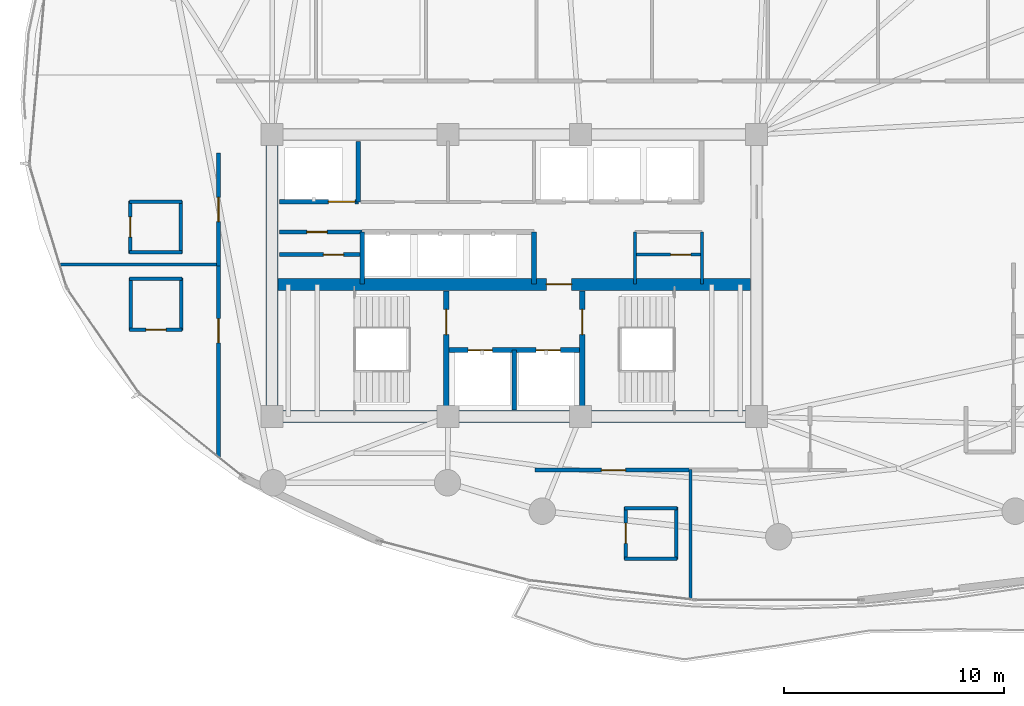
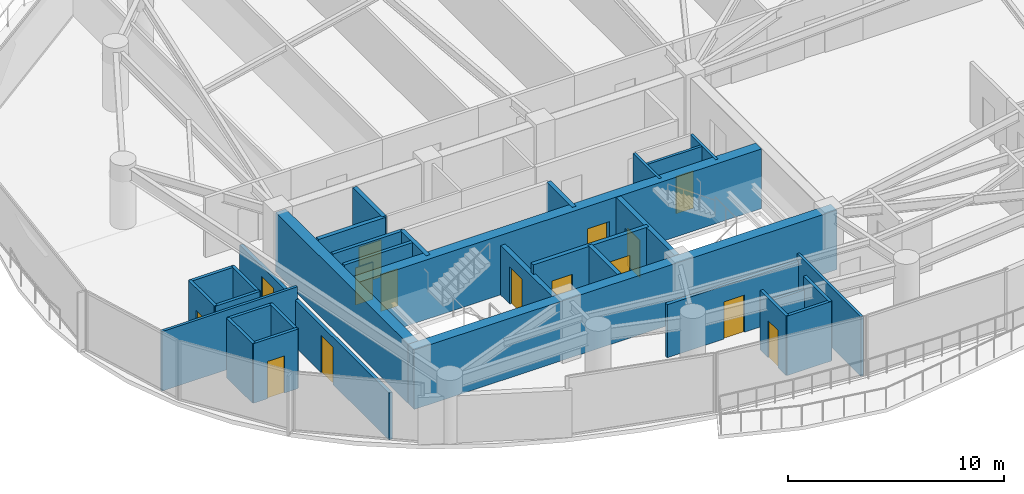
# One storey, part 26 of 33: 33 walls, 15 doors, 15 openings.
"""IFC4 building model written with IfcOpenShell, lengths in metres."""

import ifcopenshell
import ifcopenshell.guid

model = None  # the IFC model being written
_history = None  # IfcOwnerHistory: only IFC2X3 demands one
_inside = {}  # id of a spatial element -> (the spatial element, [elements in it])
_under = {}  # id of a project, library or spatial element -> (it, [spatial elements below it])
_declared = {}  # id of a project -> (the project, [libraries it declares])
_typed = {}  # id of a type object -> (the type object, [elements of that type])
_made_of = {}  # id of a material, layer set ... -> (it, [elements and type objects made of it])


def new_model(schema):
    """Start an empty IFC model of exactly this schema.

    Asked for "IFC4X3", IfcOpenShell would pick the latest addendum, in which some entities
    have other attributes; the version numbers below select the first issue.
    IFC2X3 requires an IfcOwnerHistory on every rooted entity: one is made here for all.
    """
    global model, _history
    if schema == "IFC4X3":
        model = ifcopenshell.file(schema_version=(4, 3, 0, 0))
    else:
        model = ifcopenshell.file(schema=schema)
    _inside.clear()
    _under.clear()
    _declared.clear()
    _typed.clear()
    _made_of.clear()
    _history = None
    if model.schema == "IFC2X3":
        org = make("IfcOrganization", Name="unknown")
        user = make(
            "IfcPersonAndOrganization",
            ThePerson=make("IfcPerson", FamilyName="unknown"),
            TheOrganization=org,
        )
        app = make(
            "IfcApplication",
            ApplicationDeveloper=org,
            Version="unknown",
            ApplicationFullName="unknown",
            ApplicationIdentifier="unknown",
        )
        _history = make(
            "IfcOwnerHistory",
            OwningUser=user,
            OwningApplication=app,
            ChangeAction="ADDED",
            CreationDate=0,
        )
    return model


def make(cls, **values):
    """One entity of the class cls with the attributes given. An attribute that is None is left unset."""
    return model.create_entity(
        cls, **{name: value for name, value in values.items() if value is not None}
    )


def rooted(cls, **values):
    """An entity with a GlobalId (a new one), such as an element, a storey or a relation."""
    return make(cls, GlobalId=ifcopenshell.guid.new(), OwnerHistory=_history, **values)


def si_unit(unit_type, name, prefix=None):
    """IfcSIUnit, for example si_unit("LENGTHUNIT", "METRE", prefix="MILLI")."""
    return make("IfcSIUnit", UnitType=unit_type, Prefix=prefix, Name=name)


def assignment(units):
    """IfcUnitAssignment: the units of a project."""
    return None if units is None else make("IfcUnitAssignment", Units=units)


def point(xyz):
    """IfcCartesianPoint."""
    return None if xyz is None else make("IfcCartesianPoint", Coordinates=xyz)


def direction(xyz):
    """IfcDirection."""
    return None if xyz is None else make("IfcDirection", DirectionRatios=xyz)


def frame(location, z_axis=None, x_axis=None):
    """IfcAxis2Placement3D, a coordinate frame: its origin and axes. An axis left out is left unset."""
    return make(
        "IfcAxis2Placement3D",
        Location=point(location),
        Axis=direction(z_axis),
        RefDirection=direction(x_axis),
    )


def frame_2d(location, x_axis=None):
    """IfcAxis2Placement2D, a coordinate frame in the plane: its origin and x axis."""
    return make(
        "IfcAxis2Placement2D", Location=point(location), RefDirection=direction(x_axis)
    )


def origin():
    """The frame at (0, 0, 0) with its axes left unset."""
    return frame((0.0, 0.0, 0.0))


def place(relative_to, where):
    """IfcLocalPlacement: puts the frame where relative to a parent placement (None: the world)."""
    return make(
        "IfcLocalPlacement", PlacementRelTo=relative_to, RelativePlacement=where
    )


def context(
    kind, dimensions, precision=None, world=None, true_north=None, identifier=None
):
    """IfcGeometricRepresentationContext, for example the 3D "Model" context."""
    return make(
        "IfcGeometricRepresentationContext",
        ContextIdentifier=identifier,
        ContextType=kind,
        CoordinateSpaceDimension=dimensions,
        Precision=precision,
        WorldCoordinateSystem=world,
        TrueNorth=true_north,
    )


def subcontext(parent, identifier, kind, view, scale=None):
    """IfcGeometricRepresentationSubContext, for example "Body" below "Model"."""
    return make(
        "IfcGeometricRepresentationSubContext",
        ContextIdentifier=identifier,
        ContextType=kind,
        ParentContext=parent,
        TargetScale=scale,
        TargetView=view,
    )


def project(units=None, contexts=None):
    """IfcProject with its units and contexts."""
    return rooted(
        "IfcProject",
        Name="project",
        RepresentationContexts=contexts,
        UnitsInContext=assignment(units),
    )


def spatial(cls, under=None, at=None, **own):
    """A site, building, storey or space (cls), placed at a placement, below another one or the project."""
    s = rooted(cls, ObjectPlacement=at, **own)
    if under is not None:
        _under.setdefault(under.id(), (under, []))[1].append(s)
    return s


def profile(cls, at=None, kind="AREA", **sizes):
    """A parametric profile (cls). Its sizes go by their IFC names, for example OverallWidth=200.0."""
    return make(cls, ProfileType=kind, Position=at, **sizes)


def rectangle(**sizes):
    """IfcRectangleProfileDef."""
    return profile("IfcRectangleProfileDef", **sizes)


def extrude(swept, where, along, depth):
    """IfcExtrudedAreaSolid: the profile swept, set in the frame where, extruded along a direction by depth."""
    return make(
        "IfcExtrudedAreaSolid",
        SweptArea=swept,
        Position=where,
        ExtrudedDirection=direction(along),
        Depth=depth,
    )


def shape(context_of_items, identifier, shape_type, items):
    """IfcShapeRepresentation: the items that make up one representation, for example the "Body"."""
    return make(
        "IfcShapeRepresentation",
        ContextOfItems=context_of_items,
        RepresentationIdentifier=identifier,
        RepresentationType=shape_type,
        Items=items,
    )


def material(Name=None, Category=None):
    """IfcMaterial."""
    return make("IfcMaterial", Name=Name, Category=Category)


def layer(
    of_material, thickness, ventilated=None, Name=None, Category=None, Priority=None
):
    """IfcMaterialLayer: one layer of a wall or slab, of a material (None: an air gap)."""
    return make(
        "IfcMaterialLayer",
        Material=of_material,
        LayerThickness=thickness,
        IsVentilated=ventilated,
        Name=Name,
        Category=Category,
        Priority=Priority,
    )


def layer_set(layers, Name=None):
    """IfcMaterialLayerSet."""
    return make("IfcMaterialLayerSet", MaterialLayers=layers, LayerSetName=Name)


def made_of(thing, what):
    """Note that an element or type object is made of a material, layer set ...; save() writes the relation."""
    if what is not None:
        _made_of.setdefault(what.id(), (what, []))[1].append(thing)
    return thing


def type_object(cls, material=None, **own):
    """A type object (cls), such as IfcWallType, which elements share."""
    return made_of(rooted(cls, **own), material)


def element(
    cls,
    number,
    at=None,
    inside=None,
    cuts=None,
    type_object=None,
    material=None,
    context=None,
    identifier="Body",
    shape_type=None,
    held_by="IfcProductDefinitionShape",
    body=None,
    shapes=None,
    **own,
):
    """One element of the class cls, such as IfcWall. Its Tag is "e" and its number.

    at: its placement. inside: the storey or other place that contains it. cuts: it is an
    opening in that element (IfcRelVoidsElement). A single representation is given by context,
    identifier, shape_type and body (its items); several are given by shapes. held_by: the class
    of the entity that holds the representations. save() writes the other relations.
    """
    e = rooted(cls, Tag="e%d" % number, ObjectPlacement=at, **own)
    if body is not None:
        shapes = [shape(context, identifier, shape_type, body)]
    if shapes is not None:
        e.Representation = make(held_by, Representations=shapes)
    if inside is not None:
        _inside.setdefault(inside.id(), (inside, []))[1].append(e)
    if cuts is not None:
        rooted(
            "IfcRelVoidsElement", RelatingBuildingElement=cuts, RelatedOpeningElement=e
        )
    if type_object is not None:
        _typed.setdefault(type_object.id(), (type_object, []))[1].append(e)
    return made_of(e, material)


def fill(opening, filler):
    """IfcRelFillsElement: the door or window that sits in an opening."""
    return rooted(
        "IfcRelFillsElement",
        RelatingOpeningElement=opening,
        RelatedBuildingElement=filler,
    )


def aggregate(whole, parts):
    """IfcRelAggregates: a whole, such as a stair, and the parts it consists of."""
    return rooted("IfcRelAggregates", RelatingObject=whole, RelatedObjects=parts)


def save(model, path):
    """Write the relations noted so far, then the file.

    IfcRelAggregates (storeys below a building ...), IfcRelContainedInSpatialStructure (elements
    in a storey), IfcRelDefinesByType, IfcRelAssociatesMaterial and IfcRelDeclares: one each for
    every whole, place, type object, material and project.
    """
    for whole, parts in _under.values():
        aggregate(whole, parts)
    for where, things in _inside.values():
        rooted(
            "IfcRelContainedInSpatialStructure",
            RelatedElements=things,
            RelatingStructure=where,
        )
    for kind, things in _typed.values():
        rooted("IfcRelDefinesByType", RelatedObjects=things, RelatingType=kind)
    for what, things in _made_of.values():
        rooted("IfcRelAssociatesMaterial", RelatedObjects=things, RelatingMaterial=what)
    for by, libraries in _declared.values():
        rooted("IfcRelDeclares", RelatingContext=by, RelatedDefinitions=libraries)
    model.write(path)


model = new_model("IFC4")

# Units and contexts
model_context = context("Model", 3, precision=1e-05, world=origin(), true_north=direction((0.0, 1.0)))
body_context = subcontext(model_context, "Body", "Model", "MODEL_VIEW")
ifc_project = project(units=[si_unit("LENGTHUNIT", "METRE"), si_unit("AREAUNIT", "SQUARE_METRE"), si_unit("VOLUMEUNIT", "CUBIC_METRE"), si_unit("PLANEANGLEUNIT", "RADIAN"), si_unit("MASSUNIT", "GRAM", prefix="KILO")], contexts=[model_context])

# Site, building, storey
site_placement = place(None, origin())
site = spatial("IfcSite", under=ifc_project, at=site_placement, CompositionType="ELEMENT")
building_placement = place(site_placement, origin())
building = spatial("IfcBuilding", under=site, at=building_placement, Name="Kazevale Care Tower and Concert Hall", CompositionType="ELEMENT")
storey_placement = place(building_placement, frame((0.0, 0.0, 153.0)))
storey = spatial("IfcBuildingStorey", under=building, at=storey_placement, Name="L40", CompositionType="ELEMENT", Elevation=153.0)

# Walls
ifc_material_1 = material(Name="Acoustic Gypsum on Steel Stud", Category="steel")
ifc_layer_1 = layer(ifc_material_1, 0.139892578125)
ifc_layer_set_1 = layer_set([ifc_layer_1], Name="Acoustic Gypsum on Steel Stud")
wall_type_1 = type_object("IfcWallType", Name="Acoustic Care & Suite Partition 140", PredefinedType="PARTITIONING", material=ifc_layer_set_1)
for number, where, z_axis, x_axis, name in (
    (1, (38.47998046875, 29.6201171875, 0.0), (0.0, 0.0, 1.0), (0.0, 1.0, 0.0), "wall:L40:kc_ew"),
    (2, (41.52001953125, 29.6201171875, 0.0), (0.0, 0.0, 1.0), (0.0, 1.0, 0.0), "wall:L40:kc_ee"),
):
    element("IfcWall", number, at=place(storey_placement, frame(where, z_axis=z_axis, x_axis=x_axis)), inside=storey, type_object=wall_type_1, Name=name, PredefinedType="PARTITIONING", context=body_context, shape_type="SweptSolid", body=[
        extrude(rectangle(XDim=2.35986328125, YDim=0.139892578125, at=frame_2d((1.179931640625, 0.0))), origin(), (0.0, 0.0, 1.0), 3.360107421875),
    ])

# Wall, opening, door
wall_1_placement = place(storey_placement, frame((38.47998046875, 30.949951171875, 0.0), z_axis=(0.0, 0.0, 1.0), x_axis=(1.0, 0.0, 0.0)))
wall_1 = element("IfcWall", 3, at=wall_1_placement, inside=storey, type_object=wall_type_1, Name="wall:L40:kc_em", PredefinedType="PARTITIONING", context=body_context, shape_type="SweptSolid", body=[
    extrude(rectangle(XDim=3.0400390625, YDim=0.139892578125, at=frame_2d((1.52001953125, 0.0))), origin(), (0.0, 0.0, 1.0), 3.360107421875),
])
opening_1_placement = place(wall_1_placement, frame((1.616943359375, 0.0, 0.0)))
opening_1 = element("IfcOpeningElement", 4, at=opening_1_placement, cuts=wall_1, Name="Opening ID-900", PredefinedType="OPENING", context=body_context, shape_type="SweptSolid", body=[
    extrude(rectangle(XDim=0.919921875, YDim=2.10009765625, at=frame_2d((0.4599609375, 1.050048828125))), frame((0.0, 0.079833984375, 0.0), z_axis=(0.0, -1.0, 0.0), x_axis=(1.0, 0.0, 0.0)), (0.0, 0.0, 1.0), 0.159912109375),
])
ifc_material_2 = material(Name="Oak Timber Fire Leaf", Category="wood")
door_type_1 = type_object("IfcDoorType", Name="Bathroom & Service Door 920x2100", OperationType="NOTDEFINED", PredefinedType="DOOR", material=ifc_material_2)
door_1_placement = place(opening_1_placement, origin())
door_1 = element("IfcDoor", 5, at=door_1_placement, inside=storey, type_object=door_type_1, Name="door:L40:d_kceb", OperationType="SINGLE_SWING_RIGHT", OverallHeight=2.10009765625, OverallWidth=0.919921875, PredefinedType="DOOR", context=body_context, shape_type="SweptSolid", body=[
    extrude(rectangle(XDim=0.919921875, YDim=2.10009765625, at=frame_2d((0.4599609375, 1.050048828125))), frame((0.0, 0.02490234375, 0.0), z_axis=(0.0, -1.0, 0.0), x_axis=(1.0, 0.0, 0.0)), (0.0, 0.0, 1.0), 0.050048828125),
])
fill(opening_1, door_1)

# Walls
wall_2_placement = place(storey_placement, frame((41.0, 21.205078125, 0.0), z_axis=(0.0, 0.0, 1.0), x_axis=(0.0, -1.0, 0.0)))
element("IfcWall", 6, at=wall_2_placement, inside=storey, type_object=wall_type_1, Name="wall:L40:auto_029", PredefinedType="PARTITIONING", context=body_context, shape_type="SweptSolid", body=[
    extrude(rectangle(XDim=5.88720703125, YDim=0.139892578125, at=frame_2d((2.943603515625, 0.0))), origin(), (0.0, 0.0, 1.0), 3.360107421875),
])
wall_3_placement = place(storey_placement, frame((12.380859375, 30.5, 0.0), z_axis=(0.0, 0.0, 1.0), x_axis=(1.0, 0.0, 0.0)))
element("IfcWall", 7, at=wall_3_placement, inside=storey, type_object=wall_type_1, Name="wall:L40:auto_030", PredefinedType="PARTITIONING", context=body_context, shape_type="SweptSolid", body=[
    extrude(rectangle(XDim=7.22412109375, YDim=0.139892578125, at=frame_2d((3.612060546875, 0.0))), origin(), (0.0, 0.0, 1.0), 3.360107421875),
])
ifc_material_3 = material(Name="Concrete C60", Category="concrete")
ifc_layer_2 = layer(ifc_material_3, 0.550048828125)
ifc_layer_set_2 = layer_set([ifc_layer_2], Name="Concrete C60")
wall_type_2 = type_object("IfcWallType", Name="Core Shear Wall 550 C60", PredefinedType="SHEAR", material=ifc_layer_set_2)
wall_4_placement = place(storey_placement, frame((21.72509765625, 23.60009765625, 0.0), z_axis=(0.0, 0.0, 1.0), x_axis=(1.0, 0.0, 0.0)))
element("IfcWall", 8, at=wall_4_placement, inside=storey, type_object=wall_type_2, Name="wall:L40:core:S", PredefinedType="SHEAR", context=body_context, shape_type="SweptSolid", body=[
    extrude(rectangle(XDim=22.5498046875, YDim=0.550048828125, at=frame_2d((11.27490234375, 0.0))), origin(), (0.0, 0.0, 1.0), 3.360107421875),
])
wall_5_placement = place(storey_placement, frame((22.0, 23.875, 0.0), z_axis=(0.0, 0.0, 1.0), x_axis=(0.0, 1.0, 0.0)))
element("IfcWall", 9, at=wall_5_placement, inside=storey, type_object=wall_type_2, Name="wall:L40:core:W", PredefinedType="SHEAR", context=body_context, shape_type="SweptSolid", body=[
    extrude(rectangle(XDim=12.25, YDim=0.550048828125, at=frame_2d((6.125, 0.0))), origin(), (0.0, 0.0, 1.0), 3.360107421875),
])

# Wall, opening, door
wall_6_placement = place(storey_placement, frame((22.27490234375, 29.60009765625, 0.0), z_axis=(0.0, 0.0, 1.0), x_axis=(1.0, 0.0, 0.0)))
wall_6 = element("IfcWall", 10, at=wall_6_placement, inside=storey, type_object=wall_type_2, Name="wall:L40:core:M", PredefinedType="SHEAR", context=body_context, shape_type="SweptSolid", body=[
    extrude(rectangle(XDim=21.4501953125, YDim=0.550048828125, at=frame_2d((10.72509765625, 0.0))), origin(), (0.0, 0.0, 1.0), 3.360107421875),
])
opening_2_placement = place(wall_6_placement, frame((12.175048828125, 0.0, 0.0)))
opening_2 = element("IfcOpeningElement", 11, at=opening_2_placement, cuts=wall_6, Name="Opening FD-90", PredefinedType="OPENING", context=body_context, shape_type="SweptSolid", body=[
    extrude(rectangle(XDim=1.14990234375, YDim=2.10009765625, at=frame_2d((0.574951171875, 1.050048828125))), frame((0.0, 0.284912109375, 0.0), z_axis=(0.0, -1.0, 0.0), x_axis=(1.0, 0.0, 0.0)), (0.0, 0.0, 1.0), 0.570068359375),
])
ifc_material_4 = material(Name="Steel ASTM A572 Gr 50", Category="steel")
door_type_2 = type_object("IfcDoorType", Name="Pressurized Stair & Lobby Fire Door 1150x2100", OperationType="NOTDEFINED", PredefinedType="DOOR", material=ifc_material_4)
door_2_placement = place(opening_2_placement, origin())
door_2 = element("IfcDoor", 12, at=door_2_placement, inside=storey, type_object=door_type_2, Name="door:L40:ff_to_pax", OperationType="SINGLE_SWING_LEFT", OverallHeight=2.10009765625, OverallWidth=1.14990234375, PredefinedType="DOOR", context=body_context, shape_type="SweptSolid", body=[
    extrude(rectangle(XDim=1.14990234375, YDim=2.10009765625, at=frame_2d((0.574951171875, 1.050048828125))), frame((0.0, 0.02490234375, 0.0), z_axis=(0.0, -1.0, 0.0), x_axis=(1.0, 0.0, 0.0)), (0.0, 0.0, 1.0), 0.050048828125),
])
fill(opening_2, door_2)

# Wall, openings, doors
ifc_material_5 = material(Name="Concrete C40", Category="concrete")
ifc_layer_3 = layer(ifc_material_5, 0.219970703125)
ifc_layer_set_3 = layer_set([ifc_layer_3], Name="Concrete C40")
wall_type_3 = type_object("IfcWallType", Name="Elevator Hoistway Shaft Wall 220", PredefinedType="SOLIDWALL", material=ifc_layer_set_3)
wall_7_placement = place(storey_placement, frame((29.919921875, 26.6201171875, 0.0), z_axis=(0.0, 0.0, 1.0), x_axis=(1.0, 0.0, 0.0)))
wall_7 = element("IfcWall", 13, at=wall_7_placement, inside=storey, type_object=wall_type_3, Name="wall:L40:c_ffl_n", PredefinedType="SOLIDWALL", context=body_context, shape_type="SweptSolid", body=[
    extrude(rectangle(XDim=6.16015625, YDim=0.219970703125, at=frame_2d((3.080078125, 0.0))), origin(), (0.0, 0.0, 1.0), 3.360107421875),
])
opening_3_placement = place(wall_7_placement, frame((0.989990234375, 0.0, 0.0)))
opening_3 = element("IfcOpeningElement", 14, at=opening_3_placement, cuts=wall_7, Name="Opening LD-FF", PredefinedType="OPENING", context=body_context, shape_type="SweptSolid", body=[
    extrude(rectangle(XDim=1.10009765625, YDim=2.10009765625, at=frame_2d((0.550048828125, 1.050048828125))), frame((0.0, 0.119873046875, 0.0), z_axis=(0.0, -1.0, 0.0), x_axis=(1.0, 0.0, 0.0)), (0.0, 0.0, 1.0), 0.239990234375),
])
opening_4_placement = place(wall_7_placement, frame((4.070068359375, 0.0, 0.0)))
opening_4 = element("IfcOpeningElement", 15, at=opening_4_placement, cuts=wall_7, Name="Opening LD-FF", PredefinedType="OPENING", context=body_context, shape_type="SweptSolid", body=[
    extrude(rectangle(XDim=1.10009765625, YDim=2.10009765625, at=frame_2d((0.550048828125, 1.050048828125))), frame((0.0, 0.119873046875, 0.0), z_axis=(0.0, -1.0, 0.0), x_axis=(1.0, 0.0, 0.0)), (0.0, 0.0, 1.0), 0.239990234375),
])
ifc_material_6 = material(Name="Stainless Steel 316", Category="steel")
door_type_3 = type_object("IfcDoorType", Name="Emergency Lift Sliding Landing Door 1100x2100", OperationType="NOTDEFINED", PredefinedType="DOOR", material=ifc_material_6)
door_3_placement = place(opening_3_placement, origin())
door_3 = element("IfcDoor", 16, at=door_3_placement, inside=storey, type_object=door_type_3, Name="door:L40:ld_ffl1", OperationType="SLIDING_TO_LEFT", OverallHeight=2.10009765625, OverallWidth=1.10009765625, PredefinedType="DOOR", context=body_context, shape_type="SweptSolid", body=[
    extrude(rectangle(XDim=1.10009765625, YDim=2.10009765625, at=frame_2d((0.550048828125, 1.050048828125))), frame((0.0, 0.02490234375, 0.0), z_axis=(0.0, -1.0, 0.0), x_axis=(1.0, 0.0, 0.0)), (0.0, 0.0, 1.0), 0.050048828125),
])
fill(opening_3, door_3)
door_4_placement = place(opening_4_placement, origin())
door_4 = element("IfcDoor", 17, at=door_4_placement, inside=storey, type_object=door_type_3, Name="door:L40:ld_ffl2", OperationType="SLIDING_TO_RIGHT", OverallHeight=2.10009765625, OverallWidth=1.10009765625, PredefinedType="DOOR", context=body_context, shape_type="SweptSolid", body=[
    extrude(rectangle(XDim=1.10009765625, YDim=2.10009765625, at=frame_2d((0.550048828125, 1.050048828125))), frame((0.0, 0.02490234375, 0.0), z_axis=(0.0, -1.0, 0.0), x_axis=(1.0, 0.0, 0.0)), (0.0, 0.0, 1.0), 0.050048828125),
])
fill(opening_4, door_4)

# Walls
wall_8_placement = place(storey_placement, frame((33.0, 23.89990234375, 0.0), z_axis=(0.0, 0.0, 1.0), x_axis=(0.0, 1.0, 0.0)))
element("IfcWall", 18, at=wall_8_placement, inside=storey, type_object=wall_type_3, Name="wall:L40:c_ffl_m", PredefinedType="SOLIDWALL", context=body_context, shape_type="SweptSolid", body=[
    extrude(rectangle(XDim=2.72021484375, YDim=0.219970703125, at=frame_2d((1.360107421875, 0.0))), origin(), (0.0, 0.0, 1.0), 3.360107421875),
])
wall_9_placement = place(storey_placement, frame((25.919921875, 33.35009765625, 0.0), z_axis=(0.0, 0.0, 1.0), x_axis=(0.0, 1.0, 0.0)))
element("IfcWall", 19, at=wall_9_placement, inside=storey, type_object=wall_type_3, Name="wall:L40:c_svl_e", PredefinedType="SOLIDWALL", context=body_context, shape_type="SweptSolid", body=[
    extrude(rectangle(XDim=2.72998046875, YDim=0.219970703125, at=frame_2d((1.364990234375, 0.0))), origin(), (0.0, 0.0, 1.0), 3.360107421875),
])

# Wall, opening, door
wall_10_placement = place(storey_placement, frame((22.35009765625, 33.35009765625, 0.0), z_axis=(0.0, 0.0, 1.0), x_axis=(1.0, 0.0, 0.0)))
wall_10 = element("IfcWall", 20, at=wall_10_placement, inside=storey, type_object=wall_type_3, Name="wall:L40:c_svl_s", PredefinedType="SOLIDWALL", context=body_context, shape_type="SweptSolid", body=[
    extrude(rectangle(XDim=3.56982421875, YDim=0.219970703125, at=frame_2d((1.784912109375, 0.0))), origin(), (0.0, 0.0, 1.0), 3.360107421875),
])
opening_5_placement = place(wall_10_placement, frame((2.212890625, 0.0, 0.0)))
opening_5 = element("IfcOpeningElement", 21, at=opening_5_placement, cuts=wall_10, Name="Opening LD-SV", PredefinedType="OPENING", context=body_context, shape_type="SweptSolid", body=[
    extrude(rectangle(XDim=1.199951171875, YDim=2.10009765625, at=frame_2d((0.60009765625, 1.050048828125))), frame((0.0, 0.119873046875, 0.0), z_axis=(0.0, -1.0, 0.0), x_axis=(1.0, 0.0, 0.0)), (0.0, 0.0, 1.0), 0.239990234375),
])
door_type_4 = type_object("IfcDoorType", Name="Service Lift Sliding Landing Door 1200x2100", OperationType="NOTDEFINED", PredefinedType="DOOR", material=ifc_material_6)
door_5_placement = place(opening_5_placement, origin())
door_5 = element("IfcDoor", 22, at=door_5_placement, inside=storey, type_object=door_type_4, Name="door:L40:ld_svl1", OperationType="SLIDING_TO_LEFT", OverallHeight=2.10009765625, OverallWidth=1.199951171875, PredefinedType="DOOR", context=body_context, shape_type="SweptSolid", body=[
    extrude(rectangle(XDim=1.199951171875, YDim=2.10009765625, at=frame_2d((0.60009765625, 1.050048828125))), frame((0.0, 0.02490234375, 0.0), z_axis=(0.0, -1.0, 0.0), x_axis=(1.0, 0.0, 0.0)), (0.0, 0.0, 1.0), 0.050048828125),
])
fill(opening_5, door_5)

# Walls
for number, where, z_axis, x_axis, name in (
    (23, (26.10009765625, 29.6201171875, 0.0), (0.0, 0.0, 1.0), (0.0, 1.0, 0.0), "wall:L40:c_ph_w"),
    (24, (33.89990234375, 29.6201171875, 0.0), (0.0, 0.0, 1.0), (0.0, 1.0, 0.0), "wall:L40:c_ph_e"),
):
    element("IfcWall", number, at=place(storey_placement, frame(where, z_axis=z_axis, x_axis=x_axis)), inside=storey, type_object=wall_type_3, Name=name, PredefinedType="SOLIDWALL", context=body_context, shape_type="SweptSolid", body=[
        extrude(rectangle(XDim=2.35986328125, YDim=0.219970703125, at=frame_2d((1.179931640625, 0.0))), origin(), (0.0, 0.0, 1.0), 3.360107421875),
    ])

# Wall, opening, door
ifc_material_7 = material(Name="Concrete C40 and Acoustic Gypsum", Category="concrete")
ifc_layer_4 = layer(ifc_material_7, 0.179931640625)
ifc_layer_set_4 = layer_set([ifc_layer_4], Name="Concrete C40 and Acoustic Gypsum")
wall_type_4 = type_object("IfcWallType", Name="Fire-Rated Corridor & Party Wall 180", PredefinedType="PARTITIONING", material=ifc_layer_set_4)
wall_11_placement = place(storey_placement, frame((22.35009765625, 30.949951171875, 0.0), z_axis=(0.0, 0.0, 1.0), x_axis=(1.0, 0.0, 0.0)))
wall_11 = element("IfcWall", 25, at=wall_11_placement, inside=storey, type_object=wall_type_4, Name="wall:L40:kc_wm", PredefinedType="PARTITIONING", context=body_context, shape_type="SweptSolid", body=[
    extrude(rectangle(XDim=3.75, YDim=0.179931640625, at=frame_2d((1.875, 0.0))), origin(), (0.0, 0.0, 1.0), 3.360107421875),
])
opening_6_placement = place(wall_11_placement, frame((1.988037109375, 0.0, 0.0)))
opening_6 = element("IfcOpeningElement", 26, at=opening_6_placement, cuts=wall_11, Name="Opening ID-900", PredefinedType="OPENING", context=body_context, shape_type="SweptSolid", body=[
    extrude(rectangle(XDim=0.919921875, YDim=2.10009765625, at=frame_2d((0.4599609375, 1.050048828125))), frame((0.0, 0.099853515625, 0.0), z_axis=(0.0, -1.0, 0.0), x_axis=(1.0, 0.0, 0.0)), (0.0, 0.0, 1.0), 0.199951171875),
])
door_6_placement = place(opening_6_placement, origin())
door_6 = element("IfcDoor", 27, at=door_6_placement, inside=storey, type_object=door_type_1, Name="door:L40:d_kcwb", OperationType="SINGLE_SWING_RIGHT", OverallHeight=2.10009765625, OverallWidth=0.919921875, PredefinedType="DOOR", context=body_context, shape_type="SweptSolid", body=[
    extrude(rectangle(XDim=0.919921875, YDim=2.10009765625, at=frame_2d((0.4599609375, 1.050048828125))), frame((0.0, 0.02490234375, 0.0), z_axis=(0.0, -1.0, 0.0), x_axis=(1.0, 0.0, 0.0)), (0.0, 0.0, 1.0), 0.050048828125),
])
fill(opening_6, door_6)

wall_12_placement = place(storey_placement, frame((22.35009765625, 31.97998046875, 0.0), z_axis=(0.0, 0.0, 1.0), x_axis=(1.0, 0.0, 0.0)))
wall_12 = element("IfcWall", 28, at=wall_12_placement, inside=storey, type_object=wall_type_4, Name="wall:L40:kc_wn", PredefinedType="PARTITIONING", context=body_context, shape_type="SweptSolid", body=[
    extrude(rectangle(XDim=3.75, YDim=0.179931640625, at=frame_2d((1.875, 0.0))), origin(), (0.0, 0.0, 1.0), 3.360107421875),
])
opening_7_placement = place(wall_12_placement, frame((1.238037109375, 0.0, 0.0)))
opening_7 = element("IfcOpeningElement", 29, at=opening_7_placement, cuts=wall_12, Name="Opening ID-900", PredefinedType="OPENING", context=body_context, shape_type="SweptSolid", body=[
    extrude(rectangle(XDim=0.919921875, YDim=2.10009765625, at=frame_2d((0.4599609375, 1.050048828125))), frame((0.0, 0.099853515625, 0.0), z_axis=(0.0, -1.0, 0.0), x_axis=(1.0, 0.0, 0.0)), (0.0, 0.0, 1.0), 0.199951171875),
])
door_7_placement = place(opening_7_placement, origin())
door_7 = element("IfcDoor", 30, at=door_7_placement, inside=storey, type_object=door_type_1, Name="door:L40:d_kcwt", OperationType="SINGLE_SWING_LEFT", OverallHeight=2.10009765625, OverallWidth=0.919921875, PredefinedType="DOOR", context=body_context, shape_type="SweptSolid", body=[
    extrude(rectangle(XDim=0.919921875, YDim=2.10009765625, at=frame_2d((0.4599609375, 1.050048828125))), frame((0.0, 0.02490234375, 0.0), z_axis=(0.0, -1.0, 0.0), x_axis=(1.0, 0.0, 0.0)), (0.0, 0.0, 1.0), 0.050048828125),
])
fill(opening_7, door_7)

wall_13_placement = place(storey_placement, frame((41.06494140625, 21.175048828125, 0.0), z_axis=(0.0, 0.0, 1.0), x_axis=(-1.0, 0.0, 0.0)))
wall_13 = element("IfcWall", 31, at=wall_13_placement, inside=storey, type_object=wall_type_4, Name="wall:L40:auto_015", PredefinedType="PARTITIONING", context=body_context, shape_type="SweptSolid", body=[
    extrude(rectangle(XDim=7.1298828125, YDim=0.179931640625, at=frame_2d((3.56494140625, 0.0))), origin(), (0.0, 0.0, 1.0), 2.99609375),
])
opening_8_placement = place(wall_13_placement, frame((3.014892578125, 0.0, 0.0)))
opening_8 = element("IfcOpeningElement", 32, at=opening_8_placement, cuts=wall_13, Name="Opening ID-1100", PredefinedType="OPENING", context=body_context, shape_type="SweptSolid", body=[
    extrude(rectangle(XDim=1.10009765625, YDim=2.10009765625, at=frame_2d((0.550048828125, 1.050048828125))), frame((0.0, 0.099853515625, 0.0), z_axis=(0.0, -1.0, 0.0), x_axis=(1.0, 0.0, 0.0)), (0.0, 0.0, 1.0), 0.199951171875),
])
door_type_5 = type_object("IfcDoorType", Name="Care Bedroom Accessible Door 1100x2100", OperationType="NOTDEFINED", PredefinedType="DOOR", material=ifc_material_2)
door_8_placement = place(opening_8_placement, origin())
door_8 = element("IfcDoor", 33, at=door_8_placement, inside=storey, type_object=door_type_5, Name="door:L40:ad_015", OperationType="SINGLE_SWING_LEFT", OverallHeight=2.10009765625, OverallWidth=1.10009765625, PredefinedType="DOOR", context=body_context, shape_type="SweptSolid", body=[
    extrude(rectangle(XDim=1.10009765625, YDim=2.10009765625, at=frame_2d((0.550048828125, 1.050048828125))), frame((0.0, 0.02490234375, 0.0), z_axis=(0.0, -1.0, 0.0), x_axis=(1.0, 0.0, 0.0)), (0.0, 0.0, 1.0), 0.050048828125),
])
fill(opening_8, door_8)

wall_14_placement = place(storey_placement, frame((19.574951171875, 21.774658203125, 0.0), z_axis=(0.0, 0.0, 1.0), x_axis=(0.0, 1.0, 0.0)))
wall_14 = element("IfcWall", 34, at=wall_14_placement, inside=storey, type_object=wall_type_4, Name="wall:L40:auto_017", PredefinedType="PARTITIONING", context=body_context, shape_type="SweptSolid", body=[
    extrude(rectangle(XDim=8.790283203125, YDim=0.179931640625, at=frame_2d((4.39501953125, 0.0))), origin(), (0.0, 0.0, 1.0), 2.656982421875),
])
opening_9_placement = place(wall_14_placement, frame((5.175048828125, 0.0, 0.0)))
opening_9 = element("IfcOpeningElement", 35, at=opening_9_placement, cuts=wall_14, Name="Opening ID-1100", PredefinedType="OPENING", context=body_context, shape_type="SweptSolid", body=[
    extrude(rectangle(XDim=1.10009765625, YDim=2.10009765625, at=frame_2d((0.550048828125, 1.050048828125))), frame((0.0, 0.099853515625, 0.0), z_axis=(0.0, -1.0, 0.0), x_axis=(1.0, 0.0, 0.0)), (0.0, 0.0, 1.0), 0.199951171875),
])
door_9_placement = place(opening_9_placement, origin())
door_9 = element("IfcDoor", 36, at=door_9_placement, inside=storey, type_object=door_type_5, Name="door:L40:ad_017", OperationType="SINGLE_SWING_LEFT", OverallHeight=2.10009765625, OverallWidth=1.10009765625, PredefinedType="DOOR", context=body_context, shape_type="SweptSolid", body=[
    extrude(rectangle(XDim=1.10009765625, YDim=2.10009765625, at=frame_2d((0.550048828125, 1.050048828125))), frame((0.0, 0.02490234375, 0.0), z_axis=(0.0, -1.0, 0.0), x_axis=(1.0, 0.0, 0.0)), (0.0, 0.0, 1.0), 0.050048828125),
])
fill(opening_9, door_9)

wall_15_placement = place(storey_placement, frame((19.574951171875, 30.43505859375, 0.0), z_axis=(0.0, 0.0, 1.0), x_axis=(0.0, 1.0, 0.0)))
wall_15 = element("IfcWall", 37, at=wall_15_placement, inside=storey, type_object=wall_type_4, Name="wall:L40:auto_018", PredefinedType="PARTITIONING", context=body_context, shape_type="SweptSolid", body=[
    extrude(rectangle(XDim=5.1298828125, YDim=0.179931640625, at=frame_2d((2.56494140625, 0.0))), origin(), (0.0, 0.0, 1.0), 2.656982421875),
])
opening_10_placement = place(wall_15_placement, frame((2.014892578125, 0.0, 0.0)))
opening_10 = element("IfcOpeningElement", 38, at=opening_10_placement, cuts=wall_15, Name="Opening ID-1100", PredefinedType="OPENING", context=body_context, shape_type="SweptSolid", body=[
    extrude(rectangle(XDim=1.10009765625, YDim=2.10009765625, at=frame_2d((0.550048828125, 1.050048828125))), frame((0.0, 0.099853515625, 0.0), z_axis=(0.0, -1.0, 0.0), x_axis=(1.0, 0.0, 0.0)), (0.0, 0.0, 1.0), 0.199951171875),
])
door_10_placement = place(opening_10_placement, origin())
door_10 = element("IfcDoor", 39, at=door_10_placement, inside=storey, type_object=door_type_5, Name="door:L40:ad_018", OperationType="SINGLE_SWING_LEFT", OverallHeight=2.10009765625, OverallWidth=1.10009765625, PredefinedType="DOOR", context=body_context, shape_type="SweptSolid", body=[
    extrude(rectangle(XDim=1.10009765625, YDim=2.10009765625, at=frame_2d((0.550048828125, 1.050048828125))), frame((0.0, 0.02490234375, 0.0), z_axis=(0.0, -1.0, 0.0), x_axis=(1.0, 0.0, 0.0)), (0.0, 0.0, 1.0), 0.050048828125),
])
fill(opening_10, door_10)

# Walls
ifc_layer_5 = layer(ifc_material_1, 0.159912109375)
ifc_layer_set_5 = layer_set([ifc_layer_5], Name="Acoustic Gypsum on Steel Stud")
wall_type_5 = type_object("IfcWallType", Name="Moisture-Resistant Bathroom Plumbing Wall 160", PredefinedType="PLUMBINGWALL", material=ifc_layer_set_5)
wall_16_placement = place(storey_placement, frame((38.010009765625, 17.153076171875, 0.0), z_axis=(0.0, 0.0, 1.0), x_axis=(1.0, 0.0, 0.0)))
element("IfcWall", 40, at=wall_16_placement, inside=storey, type_object=wall_type_5, Name="wall:L40:sb2a_ens_ws", PredefinedType="PLUMBINGWALL", context=body_context, shape_type="SweptSolid", body=[
    extrude(rectangle(XDim=2.3798828125, YDim=0.159912109375, at=frame_2d((1.18994140625, 0.0))), origin(), (0.0, 0.0, 1.0), 3.360107421875),
])
wall_17_placement = place(storey_placement, frame((38.010009765625, 19.452880859375, 0.0), z_axis=(0.0, 0.0, 1.0), x_axis=(1.0, 0.0, 0.0)))
element("IfcWall", 41, at=wall_17_placement, inside=storey, type_object=wall_type_5, Name="wall:L40:sb2a_ens_wn", PredefinedType="PLUMBINGWALL", context=body_context, shape_type="SweptSolid", body=[
    extrude(rectangle(XDim=2.3798828125, YDim=0.159912109375, at=frame_2d((1.18994140625, 0.0))), origin(), (0.0, 0.0, 1.0), 2.656982421875),
])

# Wall, opening, door
wall_18_placement = place(storey_placement, frame((38.050048828125, 17.113037109375, 0.0), z_axis=(0.0, 0.0, 1.0), x_axis=(0.0, 1.0, 0.0)))
wall_18 = element("IfcWall", 42, at=wall_18_placement, inside=storey, type_object=wall_type_5, Name="wall:L40:sb2a_ens_ww", PredefinedType="PLUMBINGWALL", context=body_context, shape_type="SweptSolid", body=[
    extrude(rectangle(XDim=2.3798828125, YDim=0.159912109375, at=frame_2d((1.18994140625, 0.0))), origin(), (0.0, 0.0, 1.0), 3.360107421875),
])
opening_11_placement = place(wall_18_placement, frame((0.739990234375, 0.0, 0.0)))
opening_11 = element("IfcOpeningElement", 43, at=opening_11_placement, cuts=wall_18, Name="Opening ID-900", PredefinedType="OPENING", context=body_context, shape_type="SweptSolid", body=[
    extrude(rectangle(XDim=0.919921875, YDim=2.10009765625, at=frame_2d((0.4599609375, 1.050048828125))), frame((0.0, 0.08984375, 0.0), z_axis=(0.0, -1.0, 0.0), x_axis=(1.0, 0.0, 0.0)), (0.0, 0.0, 1.0), 0.179931640625),
])
door_11_placement = place(opening_11_placement, origin())
door_11 = element("IfcDoor", 44, at=door_11_placement, inside=storey, type_object=door_type_1, Name="door:L40:sb2a_ens_d", OperationType="SINGLE_SWING_RIGHT", OverallHeight=2.10009765625, OverallWidth=0.919921875, PredefinedType="DOOR", context=body_context, shape_type="SweptSolid", body=[
    extrude(rectangle(XDim=0.919921875, YDim=2.10009765625, at=frame_2d((0.4599609375, 1.050048828125))), frame((0.0, 0.02490234375, 0.0), z_axis=(0.0, -1.0, 0.0), x_axis=(1.0, 0.0, 0.0)), (0.0, 0.0, 1.0), 0.050048828125),
])
fill(opening_11, door_11)

# Wall
wall_19_placement = place(storey_placement, frame((40.35009765625, 17.113037109375, 0.0), z_axis=(0.0, 0.0, 1.0), x_axis=(0.0, 1.0, 0.0)))
element("IfcWall", 45, at=wall_19_placement, inside=storey, type_object=wall_type_5, Name="wall:L40:sb2a_ens_we", PredefinedType="PLUMBINGWALL", context=body_context, shape_type="SweptSolid", body=[
    extrude(rectangle(XDim=2.3798828125, YDim=0.159912109375, at=frame_2d((1.18994140625, 0.0))), origin(), (0.0, 0.0, 1.0), 3.360107421875),
])

# Wall, opening, door
wall_20_placement = place(storey_placement, frame((15.544921875, 27.550048828125, 0.0), z_axis=(0.0, 0.0, 1.0), x_axis=(1.0, 0.0, 0.0)))
wall_20 = element("IfcWall", 46, at=wall_20_placement, inside=storey, type_object=wall_type_5, Name="wall:L40:wb2_ens_ws", PredefinedType="PLUMBINGWALL", context=body_context, shape_type="SweptSolid", body=[
    extrude(rectangle(XDim=2.380126953125, YDim=0.159912109375, at=frame_2d((1.18994140625, 0.0))), origin(), (0.0, 0.0, 1.0), 3.360107421875),
])
opening_12_placement = place(wall_20_placement, frame((0.739990234375, 0.0, 0.0)))
opening_12 = element("IfcOpeningElement", 47, at=opening_12_placement, cuts=wall_20, Name="Opening ID-900", PredefinedType="OPENING", context=body_context, shape_type="SweptSolid", body=[
    extrude(rectangle(XDim=0.919921875, YDim=2.10009765625, at=frame_2d((0.4599609375, 1.050048828125))), frame((0.0, 0.08984375, 0.0), z_axis=(0.0, -1.0, 0.0), x_axis=(1.0, 0.0, 0.0)), (0.0, 0.0, 1.0), 0.179931640625),
])
door_12_placement = place(opening_12_placement, origin())
door_12 = element("IfcDoor", 48, at=door_12_placement, inside=storey, type_object=door_type_1, Name="door:L40:wb2_ens_d", OperationType="SINGLE_SWING_RIGHT", OverallHeight=2.10009765625, OverallWidth=0.919921875, PredefinedType="DOOR", context=body_context, shape_type="SweptSolid", body=[
    extrude(rectangle(XDim=0.919921875, YDim=2.10009765625, at=frame_2d((0.4599609375, 1.050048828125))), frame((0.0, 0.02490234375, 0.0), z_axis=(0.0, -1.0, 0.0), x_axis=(1.0, 0.0, 0.0)), (0.0, 0.0, 1.0), 0.050048828125),
])
fill(opening_12, door_12)

# Walls
wall_21_placement = place(storey_placement, frame((15.544921875, 29.85009765625, 0.0), z_axis=(0.0, 0.0, 1.0), x_axis=(1.0, 0.0, 0.0)))
element("IfcWall", 49, at=wall_21_placement, inside=storey, type_object=wall_type_5, Name="wall:L40:wb2_ens_wn", PredefinedType="PLUMBINGWALL", context=body_context, shape_type="SweptSolid", body=[
    extrude(rectangle(XDim=2.380126953125, YDim=0.159912109375, at=frame_2d((1.18994140625, 0.0))), origin(), (0.0, 0.0, 1.0), 3.360107421875),
])
for number, where, z_axis, x_axis, name in (
    (50, (15.5849609375, 27.510009765625, 0.0), (0.0, 0.0, 1.0), (0.0, 1.0, 0.0), "wall:L40:wb2_ens_ww"),
    (51, (17.885009765625, 27.510009765625, 0.0), (0.0, 0.0, 1.0), (0.0, 1.0, 0.0), "wall:L40:wb2_ens_we"),
):
    element("IfcWall", number, at=place(storey_placement, frame(where, z_axis=z_axis, x_axis=x_axis)), inside=storey, type_object=wall_type_5, Name=name, PredefinedType="PLUMBINGWALL", context=body_context, shape_type="SweptSolid", body=[
        extrude(rectangle(XDim=2.3798828125, YDim=0.159912109375, at=frame_2d((1.18994140625, 0.0))), origin(), (0.0, 0.0, 1.0), 3.360107421875),
    ])
for number, where, z_axis, x_axis, name in (
    (52, (15.534912109375, 31.050048828125, 0.0), (0.0, 0.0, 1.0), (1.0, 0.0, 0.0), "wall:L40:wb3_ens_ws"),
    (53, (15.534912109375, 33.35009765625, 0.0), (0.0, 0.0, 1.0), (1.0, 0.0, 0.0), "wall:L40:wb3_ens_wn"),
):
    element("IfcWall", number, at=place(storey_placement, frame(where, z_axis=z_axis, x_axis=x_axis)), inside=storey, type_object=wall_type_5, Name=name, PredefinedType="PLUMBINGWALL", context=body_context, shape_type="SweptSolid", body=[
        extrude(rectangle(XDim=2.380126953125, YDim=0.159912109375, at=frame_2d((1.18994140625, 0.0))), origin(), (0.0, 0.0, 1.0), 3.360107421875),
    ])

# Wall, opening, door
wall_22_placement = place(storey_placement, frame((15.574951171875, 31.010009765625, 0.0), z_axis=(0.0, 0.0, 1.0), x_axis=(0.0, 1.0, 0.0)))
wall_22 = element("IfcWall", 54, at=wall_22_placement, inside=storey, type_object=wall_type_5, Name="wall:L40:wb3_ens_ww", PredefinedType="PLUMBINGWALL", context=body_context, shape_type="SweptSolid", body=[
    extrude(rectangle(XDim=2.3798828125, YDim=0.159912109375, at=frame_2d((1.18994140625, 0.0))), origin(), (0.0, 0.0, 1.0), 3.360107421875),
])
opening_13_placement = place(wall_22_placement, frame((0.739990234375, 0.0, 0.0)))
opening_13 = element("IfcOpeningElement", 55, at=opening_13_placement, cuts=wall_22, Name="Opening ID-900", PredefinedType="OPENING", context=body_context, shape_type="SweptSolid", body=[
    extrude(rectangle(XDim=0.919921875, YDim=2.10009765625, at=frame_2d((0.4599609375, 1.050048828125))), frame((0.0, 0.08984375, 0.0), z_axis=(0.0, -1.0, 0.0), x_axis=(1.0, 0.0, 0.0)), (0.0, 0.0, 1.0), 0.179931640625),
])
door_13_placement = place(opening_13_placement, origin())
door_13 = element("IfcDoor", 56, at=door_13_placement, inside=storey, type_object=door_type_1, Name="door:L40:wb3_ens_d", OperationType="SINGLE_SWING_LEFT", OverallHeight=2.10009765625, OverallWidth=0.919921875, PredefinedType="DOOR", context=body_context, shape_type="SweptSolid", body=[
    extrude(rectangle(XDim=0.919921875, YDim=2.10009765625, at=frame_2d((0.4599609375, 1.050048828125))), frame((0.0, 0.02490234375, 0.0), z_axis=(0.0, -1.0, 0.0), x_axis=(1.0, 0.0, 0.0)), (0.0, 0.0, 1.0), 0.050048828125),
])
fill(opening_13, door_13)

# Wall
wall_23_placement = place(storey_placement, frame((17.875, 31.010009765625, 0.0), z_axis=(0.0, 0.0, 1.0), x_axis=(0.0, 1.0, 0.0)))
element("IfcWall", 57, at=wall_23_placement, inside=storey, type_object=wall_type_5, Name="wall:L40:wb3_ens_we", PredefinedType="PLUMBINGWALL", context=body_context, shape_type="SweptSolid", body=[
    extrude(rectangle(XDim=2.3798828125, YDim=0.159912109375, at=frame_2d((1.18994140625, 0.0))), origin(), (0.0, 0.0, 1.0), 3.360107421875),
])

# Wall, opening, door
ifc_layer_6 = layer(ifc_material_5, 0.25)
ifc_layer_set_6 = layer_set([ifc_layer_6], Name="Concrete C40")
wall_type_6 = type_object("IfcWallType", Name="Pressurized Stair Shaft Wall 250", PredefinedType="SOLIDWALL", material=ifc_layer_set_6)
wall_24_placement = place(storey_placement, frame((29.919921875, 23.89990234375, 0.0), z_axis=(0.0, 0.0, 1.0), x_axis=(0.0, 1.0, 0.0)))
wall_24 = element("IfcWall", 58, at=wall_24_placement, inside=storey, type_object=wall_type_6, Name="wall:L40:c_st1_e", PredefinedType="SOLIDWALL", context=body_context, shape_type="SweptSolid", body=[
    extrude(rectangle(XDim=5.400146484375, YDim=0.25, at=frame_2d((2.7001953125, 0.0))), origin(), (0.0, 0.0, 1.0), 2.805908203125),
])
opening_14_placement = place(wall_24_placement, frame((3.4208984375, 0.0, 0.0)))
opening_14 = element("IfcOpeningElement", 59, at=opening_14_placement, cuts=wall_24, Name="Opening FD-90", PredefinedType="OPENING", context=body_context, shape_type="SweptSolid", body=[
    extrude(rectangle(XDim=1.14990234375, YDim=2.10009765625, at=frame_2d((0.574951171875, 1.050048828125))), frame((0.0, 0.135009765625, 0.0), z_axis=(0.0, -1.0, 0.0), x_axis=(1.0, 0.0, 0.0)), (0.0, 0.0, 1.0), 0.27001953125),
])
door_14_placement = place(opening_14_placement, origin())
door_14 = element("IfcDoor", 60, at=door_14_placement, inside=storey, type_object=door_type_2, Name="door:L40:st1", OperationType="SINGLE_SWING_RIGHT", OverallHeight=2.10009765625, OverallWidth=1.14990234375, PredefinedType="DOOR", context=body_context, shape_type="SweptSolid", body=[
    extrude(rectangle(XDim=1.14990234375, YDim=2.10009765625, at=frame_2d((0.574951171875, 1.050048828125))), frame((0.0, 0.02490234375, 0.0), z_axis=(0.0, -1.0, 0.0), x_axis=(1.0, 0.0, 0.0)), (0.0, 0.0, 1.0), 0.050048828125),
])
fill(opening_14, door_14)

wall_25_placement = place(storey_placement, frame((36.080078125, 23.89990234375, 0.0), z_axis=(0.0, 0.0, 1.0), x_axis=(0.0, 1.0, 0.0)))
wall_25 = element("IfcWall", 61, at=wall_25_placement, inside=storey, type_object=wall_type_6, Name="wall:L40:c_st2_w", PredefinedType="SOLIDWALL", context=body_context, shape_type="SweptSolid", body=[
    extrude(rectangle(XDim=5.400146484375, YDim=0.25, at=frame_2d((2.7001953125, 0.0))), origin(), (0.0, 0.0, 1.0), 3.360107421875),
])
opening_15_placement = place(wall_25_placement, frame((3.4208984375, 0.0, 0.0)))
opening_15 = element("IfcOpeningElement", 62, at=opening_15_placement, cuts=wall_25, Name="Opening FD-90", PredefinedType="OPENING", context=body_context, shape_type="SweptSolid", body=[
    extrude(rectangle(XDim=1.14990234375, YDim=2.10009765625, at=frame_2d((0.574951171875, 1.050048828125))), frame((0.0, 0.135009765625, 0.0), z_axis=(0.0, -1.0, 0.0), x_axis=(1.0, 0.0, 0.0)), (0.0, 0.0, 1.0), 0.27001953125),
])
door_15_placement = place(opening_15_placement, origin())
door_15 = element("IfcDoor", 63, at=door_15_placement, inside=storey, type_object=door_type_2, Name="door:L40:st2", OperationType="SINGLE_SWING_LEFT", OverallHeight=2.10009765625, OverallWidth=1.14990234375, PredefinedType="DOOR", context=body_context, shape_type="SweptSolid", body=[
    extrude(rectangle(XDim=1.14990234375, YDim=2.10009765625, at=frame_2d((0.574951171875, 1.050048828125))), frame((0.0, 0.02490234375, 0.0), z_axis=(0.0, -1.0, 0.0), x_axis=(1.0, 0.0, 0.0)), (0.0, 0.0, 1.0), 0.050048828125),
])
fill(opening_15, door_15)

save(model, "model.ifc")
